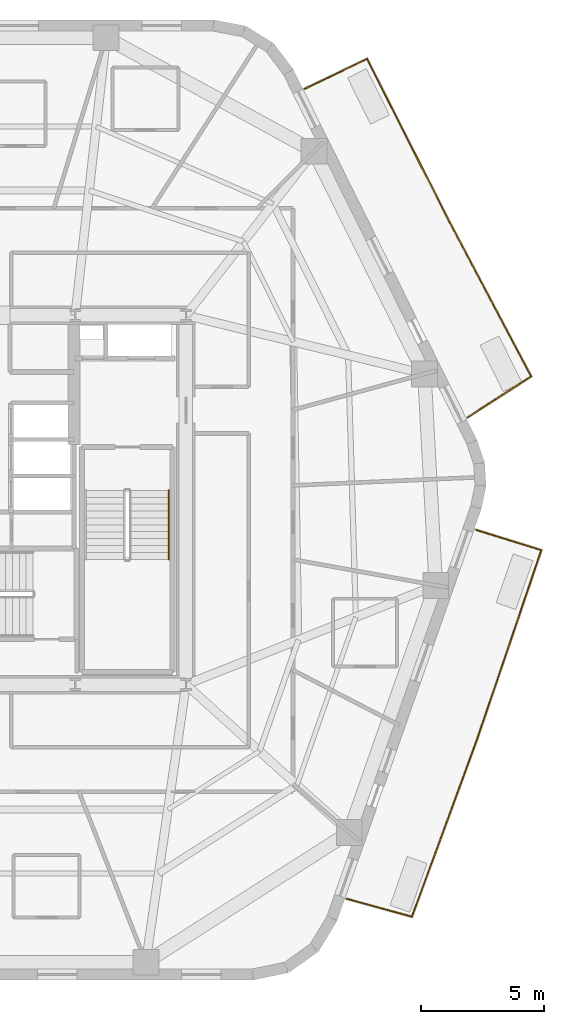
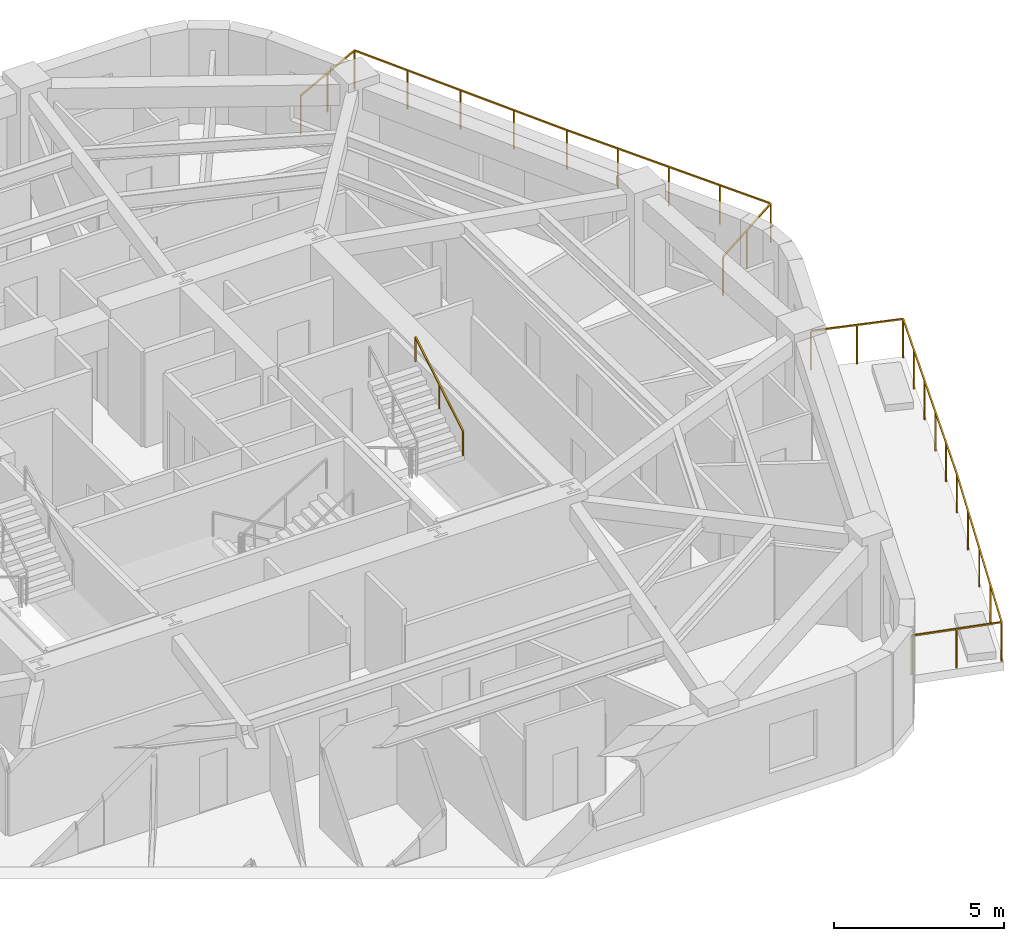
# One storey, part 10 of 10: 3 railings.
"""IFC4 building model written with IfcOpenShell, lengths in metres."""

from ifc_helpers import new_model, si_unit, direction, frame, origin, origin_2d, place, context, subcontext, project, spatial, rectangle, extrude, material, layer, layer_set, type_object, element, save


model = new_model("IFC4")

# Units and contexts
model_context = context("Model", 3, precision=1e-05, world=origin(), true_north=direction((0.0, 1.0)))
body_context = subcontext(model_context, "Body", "Model", "MODEL_VIEW")
ifc_project = project(units=[si_unit("LENGTHUNIT", "METRE"), si_unit("AREAUNIT", "SQUARE_METRE"), si_unit("VOLUMEUNIT", "CUBIC_METRE"), si_unit("PLANEANGLEUNIT", "RADIAN"), si_unit("MASSUNIT", "GRAM", prefix="KILO")], contexts=[model_context])

# Site, building, storey
site_placement = place(None, origin())
site = spatial("IfcSite", under=ifc_project, at=site_placement, CompositionType="ELEMENT")
building_placement = place(site_placement, origin())
building = spatial("IfcBuilding", under=site, at=building_placement, Name="Kilnhurst Terrace Hotel", CompositionType="ELEMENT")
storey_placement = place(building_placement, frame((0.0, 0.0, 175.60009765625)))
storey = spatial("IfcBuildingStorey", under=building, at=storey_placement, Name="L43", CompositionType="ELEMENT", Elevation=175.60009765625)

# Railings
ifc_material_1 = material(Name="Laminated SentryGlas and Stainless Steel AISI 316L Balustrade", Category="steel")
ifc_layer_1 = layer(ifc_material_1, 0.070068359375, Name="Laminated SentryGlas and Stainless Steel AISI 316L Balustrade")
ifc_layer_set_1 = layer_set([ifc_layer_1], Name="Laminated SentryGlas and Stainless Steel AISI 316L Balustrade")
railing_type_1 = type_object("IfcRailingType", Name="RLG-BAL-1420", PredefinedType="BALUSTRADE", material=ifc_layer_set_1)
railing_1_placement = place(storey_placement, frame((20.783935546875, -1.215087890625, 0.0)))
element("IfcRailing", 1, at=railing_1_placement, inside=storey, type_object=railing_type_1, Name="L43 Exterior Terrace Guardrail BAL-L1A.1", PredefinedType="BALUSTRADE", context=body_context, shape_type="SweptSolid", body=[
    extrude(rectangle(XDim=0.048095703125, YDim=0.048095703125, at=origin_2d()), frame((0.0, 0.0, 1.39599609375), z_axis=(0.954948187333, -0.29677257203, 0.0), x_axis=(0.29677257203, 0.954948187333, 0.0)), (0.0, 0.0, 1.0), 2.7763671875),
    extrude(rectangle(XDim=0.048095703125, YDim=0.048095703125, at=origin_2d()), frame((2.6513671875, -0.823974609375, 1.39599609375), z_axis=(-0.321641701575, -0.946861455445, 0.0), x_axis=(0.946861455445, -0.321641701575, 0.0)), (0.0, 0.0, 1.0), 8.082275390625),
    extrude(rectangle(XDim=0.048095703125, YDim=0.048095703125, at=origin_2d()), frame((0.0517578125, -8.476806640625, 1.39599609375), z_axis=(-0.344704120874, -0.938711387516, 0.0), x_axis=(0.938711387516, -0.344704120874, 0.0)), (0.0, 0.0, 1.0), 7.7080078125),
    extrude(rectangle(XDim=0.048095703125, YDim=0.048095703125, at=origin_2d()), frame((-2.605224609375, -15.71240234375, 1.39599609375), z_axis=(-0.964239560757, 0.265032204593, 0.0), x_axis=(-0.265032204593, -0.964239560757, 0.0)), (0.0, 0.0, 1.0), 2.739501953125),
    extrude(rectangle(XDim=0.0419921875, YDim=0.0419921875, at=origin_2d()), origin(), (0.0, 0.0, 1.0), 1.371826171875),
    extrude(rectangle(XDim=0.0419921875, YDim=0.0419921875, at=origin_2d()), frame((1.32568359375, -0.412109375, 0.0)), (0.0, 0.0, 1.0), 1.371826171875),
    extrude(rectangle(XDim=0.0419921875, YDim=0.0419921875, at=origin_2d()), frame((2.6513671875, -0.823974609375, 0.0)), (0.0, 0.0, 1.0), 1.371826171875),
    extrude(rectangle(XDim=0.0419921875, YDim=0.0419921875, at=origin_2d()), frame((2.13134765625, -2.3544921875, 0.0)), (0.0, 0.0, 1.0), 1.371826171875),
    extrude(rectangle(XDim=0.0419921875, YDim=0.0419921875, at=origin_2d()), frame((1.611572265625, -3.885009765625, 0.0)), (0.0, 0.0, 1.0), 1.371826171875),
    extrude(rectangle(XDim=0.0419921875, YDim=0.0419921875, at=origin_2d()), frame((1.091552734375, -5.415771484375, 0.0)), (0.0, 0.0, 1.0), 1.371826171875),
    extrude(rectangle(XDim=0.0419921875, YDim=0.0419921875, at=origin_2d()), frame((0.57177734375, -6.9462890625, 0.0)), (0.0, 0.0, 1.0), 1.371826171875),
    extrude(rectangle(XDim=0.0419921875, YDim=0.0419921875, at=origin_2d()), frame((0.0517578125, -8.476806640625, 0.0)), (0.0, 0.0, 1.0), 1.371826171875),
    extrude(rectangle(XDim=0.0419921875, YDim=0.0419921875, at=origin_2d()), frame((-0.612548828125, -10.28564453125, 0.0)), (0.0, 0.0, 1.0), 1.371826171875),
    extrude(rectangle(XDim=0.0419921875, YDim=0.0419921875, at=origin_2d()), frame((-1.27685546875, -12.0947265625, 0.0)), (0.0, 0.0, 1.0), 1.371826171875),
    extrude(rectangle(XDim=0.0419921875, YDim=0.0419921875, at=origin_2d()), frame((-1.94091796875, -13.903564453125, 0.0)), (0.0, 0.0, 1.0), 1.371826171875),
    extrude(rectangle(XDim=0.0419921875, YDim=0.0419921875, at=origin_2d()), frame((-2.605224609375, -15.71240234375, 0.0)), (0.0, 0.0, 1.0), 1.371826171875),
    extrude(rectangle(XDim=0.0419921875, YDim=0.0419921875, at=origin_2d()), frame((-3.926025390625, -15.349365234375, 0.0)), (0.0, 0.0, 1.0), 1.371826171875),
    extrude(rectangle(XDim=0.0419921875, YDim=0.0419921875, at=origin_2d()), frame((-5.246826171875, -14.986328125, 0.0)), (0.0, 0.0, 1.0), 1.371826171875),
])
railing_2_placement = place(storey_placement, frame((13.83544921875, 16.709716796875, 0.0)))
element("IfcRailing", 2, at=railing_2_placement, inside=storey, type_object=railing_type_1, Name="L43 Exterior Terrace Guardrail BAL-L1B.1", PredefinedType="BALUSTRADE", context=body_context, shape_type="SweptSolid", body=[
    extrude(rectangle(XDim=0.048095703125, YDim=0.048095703125, at=origin_2d()), frame((0.0, 0.0, 1.39599609375), z_axis=(0.901469931109, 0.43284173009, 0.0), x_axis=(-0.43284173009, 0.901469931109, 0.0)), (0.0, 0.0, 1.0), 2.797119140625),
    extrude(rectangle(XDim=0.048095703125, YDim=0.048095703125, at=origin_2d()), frame((2.521484375, 1.210693359375, 1.39599609375), z_axis=(0.450616671131, -0.892717545307, 0.0), x_axis=(0.892717545307, 0.450616671131, 0.0)), (0.0, 0.0, 1.0), 7.453857421875),
    extrude(rectangle(XDim=0.048095703125, YDim=0.048095703125, at=origin_2d()), frame((5.88037109375, -5.443603515625, 1.39599609375), z_axis=(0.4472135955, -0.894427191, 0.0), x_axis=(0.894427191, 0.4472135955, 0.0)), (0.0, 0.0, 1.0), 0.0009765625),
    extrude(rectangle(XDim=0.048095703125, YDim=0.048095703125, at=origin_2d()), frame((5.880859375, -5.444580078125, 1.39599609375), z_axis=(0.46789407085, -0.883784554325, 0.0), x_axis=(0.883784554325, 0.46789407085, 0.0)), (0.0, 0.0, 1.0), 7.0654296875),
    extrude(rectangle(XDim=0.048095703125, YDim=0.048095703125, at=origin_2d()), frame((9.186767578125, -11.68896484375, 1.39599609375), z_axis=(-0.841139546062, -0.540818143233, 0.0), x_axis=(0.540818143233, -0.841139546062, 0.0)), (0.0, 0.0, 1.0), 3.056640625),
    extrude(rectangle(XDim=0.0419921875, YDim=0.0419921875, at=origin_2d()), origin(), (0.0, 0.0, 1.0), 1.371826171875),
    extrude(rectangle(XDim=0.0419921875, YDim=0.0419921875, at=origin_2d()), frame((1.2607421875, 0.60546875, 0.0)), (0.0, 0.0, 1.0), 1.371826171875),
    extrude(rectangle(XDim=0.0419921875, YDim=0.0419921875, at=origin_2d()), frame((2.521484375, 1.210693359375, 0.0)), (0.0, 0.0, 1.0), 1.371826171875),
    extrude(rectangle(XDim=0.0419921875, YDim=0.0419921875, at=origin_2d()), frame((3.361328125, -0.452880859375, 0.0)), (0.0, 0.0, 1.0), 1.371826171875),
    extrude(rectangle(XDim=0.0419921875, YDim=0.0419921875, at=origin_2d()), frame((4.200927734375, -2.116455078125, 0.0)), (0.0, 0.0, 1.0), 1.371826171875),
    extrude(rectangle(XDim=0.0419921875, YDim=0.0419921875, at=origin_2d()), frame((5.04052734375, -3.780029296875, 0.0)), (0.0, 0.0, 1.0), 1.371826171875),
    extrude(rectangle(XDim=0.0419921875, YDim=0.0419921875, at=origin_2d()), frame((5.88037109375, -5.443603515625, 0.0)), (0.0, 0.0, 1.0), 1.371826171875),
    extrude(rectangle(XDim=0.0419921875, YDim=0.0419921875, at=origin_2d()), frame((5.880859375, -5.444580078125, 0.0)), (0.0, 0.0, 1.0), 1.371826171875),
    extrude(rectangle(XDim=0.0419921875, YDim=0.0419921875, at=origin_2d()), frame((6.707275390625, -7.005615234375, 0.0)), (0.0, 0.0, 1.0), 1.371826171875),
    extrude(rectangle(XDim=0.0419921875, YDim=0.0419921875, at=origin_2d()), frame((7.53369140625, -8.56689453125, 0.0)), (0.0, 0.0, 1.0), 1.371826171875),
    extrude(rectangle(XDim=0.0419921875, YDim=0.0419921875, at=origin_2d()), frame((8.3603515625, -10.1279296875, 0.0)), (0.0, 0.0, 1.0), 1.371826171875),
    extrude(rectangle(XDim=0.0419921875, YDim=0.0419921875, at=origin_2d()), frame((9.186767578125, -11.68896484375, 0.0)), (0.0, 0.0, 1.0), 1.371826171875),
    extrude(rectangle(XDim=0.0419921875, YDim=0.0419921875, at=origin_2d()), frame((7.9013671875, -12.515625, 0.0)), (0.0, 0.0, 1.0), 1.371826171875),
    extrude(rectangle(XDim=0.0419921875, YDim=0.0419921875, at=origin_2d()), frame((6.61572265625, -13.342041015625, 0.0)), (0.0, 0.0, 1.0), 1.371826171875),
])
ifc_material_2 = material(Name="Brushed Stainless Steel AISI 304", Category="steel")
ifc_layer_2 = layer(ifc_material_2, 0.048095703125, Name="Brushed Stainless Steel AISI 304")
ifc_layer_set_2 = layer_set([ifc_layer_2], Name="Brushed Stainless Steel AISI 304")
railing_type_2 = type_object("IfcRailingType", Name="RLG-ST-HRL-900", PredefinedType="HANDRAIL", material=ifc_layer_set_2)
railing_3_placement = place(storey_placement, frame((8.300048828125, -2.409912109375, 2.01806640625)))
element("IfcRailing", 3, at=railing_3_placement, inside=storey, type_object=railing_type_2, Name="L43 ST-2 stair handrail 2", PredefinedType="HANDRAIL", context=body_context, shape_type="SweptSolid", body=[
    extrude(rectangle(XDim=0.048095703125, YDim=0.048095703125, at=origin_2d()), frame((0.0, 0.0, 0.8759765625), z_axis=(0.0, 0.857222391501, 0.514946377315), x_axis=(-1.0, 0.0, 0.0)), (0.0, 0.0, 1.0), 3.26611328125),
    extrude(rectangle(XDim=0.0419921875, YDim=0.0419921875, at=origin_2d()), origin(), (0.0, 0.0, 1.0), 0.851806640625),
    extrude(rectangle(XDim=0.0419921875, YDim=0.0419921875, at=origin_2d()), frame((0.0, 1.39990234375, 0.8408203125)), (0.0, 0.0, 1.0), 0.851806640625),
    extrude(rectangle(XDim=0.0419921875, YDim=0.0419921875, at=origin_2d()), frame((0.0, 2.7998046875, 1.681884765625)), (0.0, 0.0, 1.0), 0.851806640625),
])

save(model, "model.ifc")
